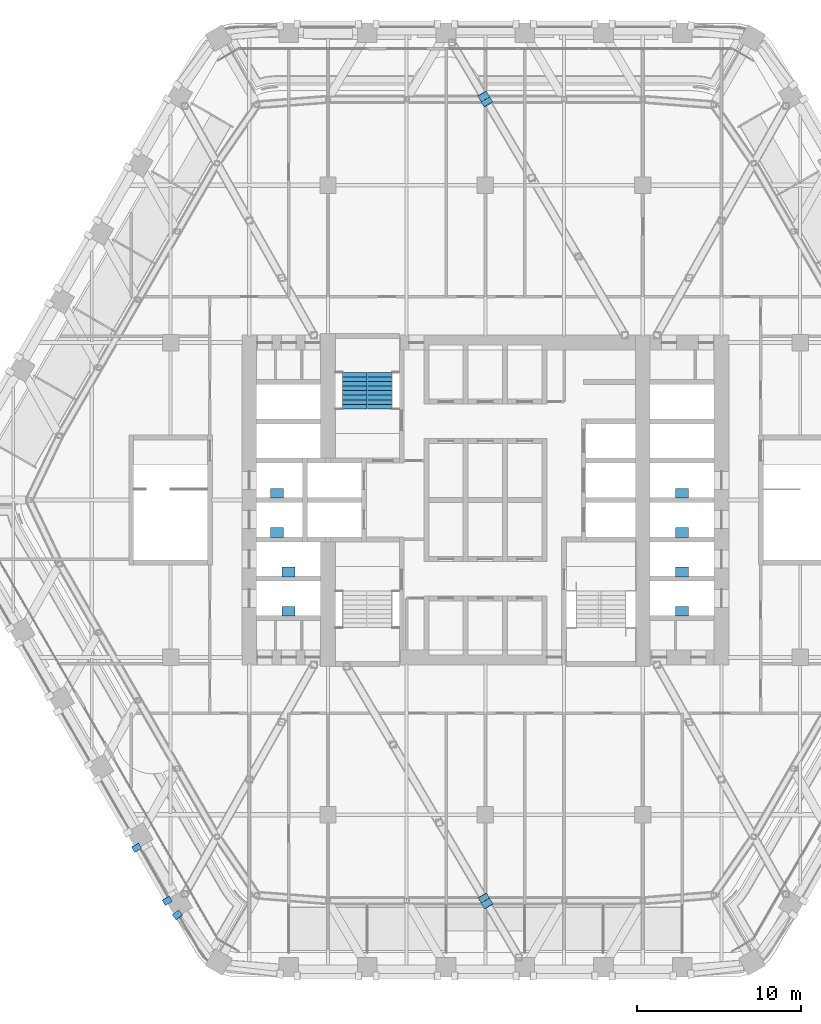
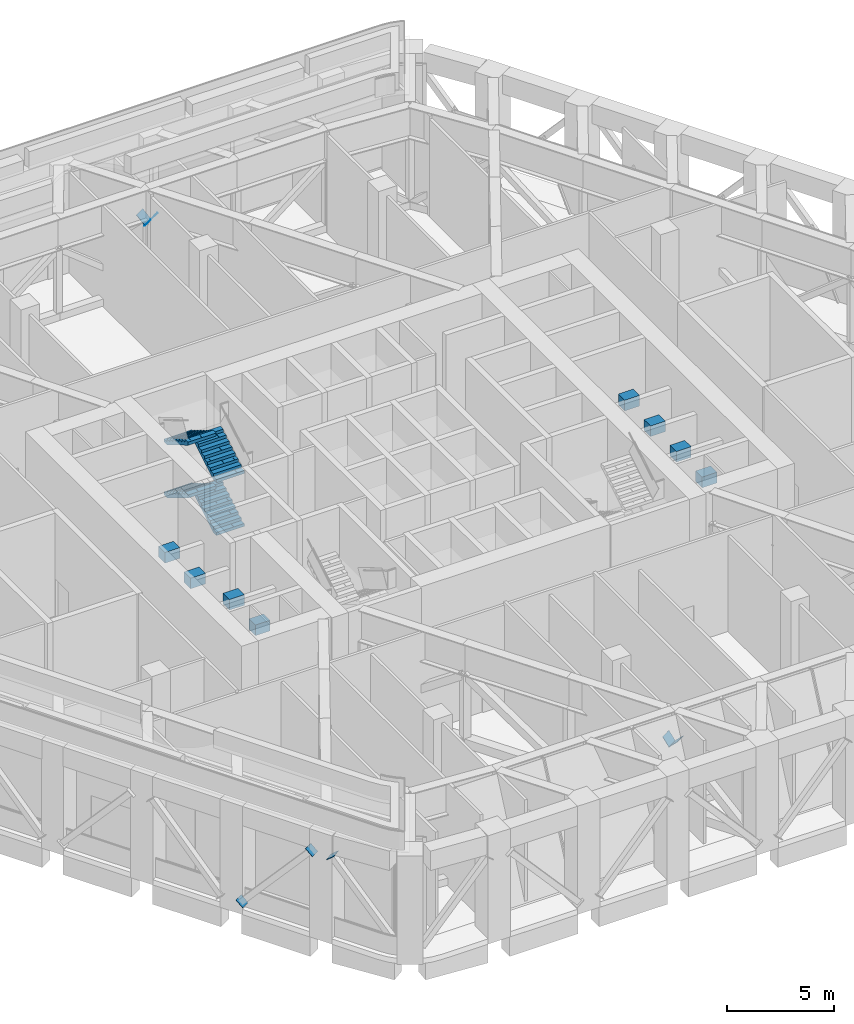
# One storey, part 22 of 27: 15 discrete accessories, 4 stair flights, 1 element without a shape of its own.
"""IFC4 building model written with IfcOpenShell, lengths in metres."""

from ifc_helpers import new_model, si_unit, direction, frame, origin, origin_2d, place, context, subcontext, project, spatial, polyline, rectangle, outline, extrude, material, type_object, element, aggregate, save


model = new_model("IFC4")

# Units and contexts
model_context = context("Model", 3, precision=1e-05, world=origin(), true_north=direction((0.0, 1.0)))
body_context = subcontext(model_context, "Body", "Model", "MODEL_VIEW")
ifc_project = project(units=[si_unit("LENGTHUNIT", "METRE"), si_unit("AREAUNIT", "SQUARE_METRE"), si_unit("VOLUMEUNIT", "CUBIC_METRE"), si_unit("PLANEANGLEUNIT", "RADIAN"), si_unit("MASSUNIT", "GRAM", prefix="KILO")], contexts=[model_context])

# Site, building, storey
site_placement = place(None, origin())
site = spatial("IfcSite", under=ifc_project, at=site_placement, CompositionType="ELEMENT")
building_placement = place(site_placement, origin())
building = spatial("IfcBuilding", under=site, at=building_placement, Name="Kolab Exchange Tower", CompositionType="ELEMENT")
storey_placement = place(building_placement, frame((0.0, 0.0, 127.39990234375)))
storey = spatial("IfcBuildingStorey", under=building, at=storey_placement, Name="L25", CompositionType="ELEMENT", Elevation=127.39990234375)

# Stair, stair flights
ifc_material = material(Name="Concrete C50/60", Category="concrete")
stair_type = type_object("IfcStairType", Name="STAIR ST1 RISER 166.7", PredefinedType="DOUBLE_RETURN_STAIR", material=ifc_material)
stair_placement = place(storey_placement, origin())
stair = element("IfcStair", 1, at=stair_placement, inside=storey, type_object=stair_type, Name="Stair 1", PredefinedType="DOUBLE_RETURN_STAIR")
stair_flight_type = type_object("IfcStairFlightType", Name="STAIR FLIGHT 1500 RISER 166.7", PredefinedType="STRAIGHT", material=ifc_material)
stair_flight_1_placement = place(storey_placement, frame((-6.43994140625, 5.550048828125, 0.0), z_axis=(0.0, 0.0, 1.0), x_axis=(0.0, 1.0, 0.0)))
stair_flight_1 = element("IfcStairFlight", 2, at=stair_flight_1_placement, type_object=stair_flight_type, Name="ST1 flight 1", NumberOfRisers=9, NumberOfTreads=8, PredefinedType="STRAIGHT", RiserHeight=0.166666667, TreadLength=0.28, context=body_context, shape_type="SweptSolid", body=[
    extrude(outline(polyline([(0.0, 0.0), (0.0, 0.166748046875), (0.280029296875, 0.166748046875), (0.280029296875, 0.333251953125), (0.56005859375, 0.333251953125), (0.56005859375, 0.5), (0.840087890625, 0.5), (0.840087890625, 0.666748046875), (1.1201171875, 0.666748046875), (1.1201171875, 0.833251953125), (1.39990234375, 0.833251953125), (1.39990234375, 1.0), (1.679931640625, 1.0), (1.679931640625, 1.166748046875), (1.9599609375, 1.166748046875), (1.9599609375, 1.333251953125), (2.239990234375, 1.333251953125), (2.239990234375, 1.5), (2.239990234375, 1.158935546875), (0.29296875, 0.0), (0.0, 0.0)])), frame((0.0, 0.75, 0.0), z_axis=(0.0, -1.0, 0.0), x_axis=(1.0, 0.0, 0.0)), (0.0, 0.0, 1.0), 0.185791015625),
    extrude(outline(polyline([(0.0, 0.0), (0.0, 0.166748046875), (0.280029296875, 0.166748046875), (0.280029296875, 0.333251953125), (0.56005859375, 0.333251953125), (0.56005859375, 0.5), (0.840087890625, 0.5), (0.840087890625, 0.666748046875), (1.1201171875, 0.666748046875), (1.1201171875, 0.833251953125), (1.39990234375, 0.833251953125), (1.39990234375, 1.0), (1.679931640625, 1.0), (1.679931640625, 1.166748046875), (1.9599609375, 1.166748046875), (1.9599609375, 1.333251953125), (2.239990234375, 1.333251953125), (2.239990234375, 1.5), (2.239990234375, 1.158935546875), (0.29296875, 0.0), (0.0, 0.0)])), frame((0.0, 0.562255859375, 0.0), z_axis=(0.0, -1.0, 0.0), x_axis=(1.0, 0.0, 0.0)), (0.0, 0.0, 1.0), 0.185791015625),
    extrude(outline(polyline([(0.0, 0.0), (0.0, 0.166748046875), (0.280029296875, 0.166748046875), (0.280029296875, 0.333251953125), (0.56005859375, 0.333251953125), (0.56005859375, 0.5), (0.840087890625, 0.5), (0.840087890625, 0.666748046875), (1.1201171875, 0.666748046875), (1.1201171875, 0.833251953125), (1.39990234375, 0.833251953125), (1.39990234375, 1.0), (1.679931640625, 1.0), (1.679931640625, 1.166748046875), (1.9599609375, 1.166748046875), (1.9599609375, 1.333251953125), (2.239990234375, 1.333251953125), (2.239990234375, 1.5), (2.239990234375, 1.158935546875), (0.29296875, 0.0), (0.0, 0.0)])), frame((0.0, 0.37451171875, 0.0), z_axis=(0.0, -1.0, 0.0), x_axis=(1.0, 0.0, 0.0)), (0.0, 0.0, 1.0), 0.185791015625),
    extrude(outline(polyline([(0.0, 0.0), (0.0, 0.166748046875), (0.280029296875, 0.166748046875), (0.280029296875, 0.333251953125), (0.56005859375, 0.333251953125), (0.56005859375, 0.5), (0.840087890625, 0.5), (0.840087890625, 0.666748046875), (1.1201171875, 0.666748046875), (1.1201171875, 0.833251953125), (1.39990234375, 0.833251953125), (1.39990234375, 1.0), (1.679931640625, 1.0), (1.679931640625, 1.166748046875), (1.9599609375, 1.166748046875), (1.9599609375, 1.333251953125), (2.239990234375, 1.333251953125), (2.239990234375, 1.5), (2.239990234375, 1.158935546875), (0.29296875, 0.0), (0.0, 0.0)])), frame((0.0, 0.186767578125, 0.0), z_axis=(0.0, -1.0, 0.0), x_axis=(1.0, 0.0, 0.0)), (0.0, 0.0, 1.0), 0.185791015625),
    extrude(outline(polyline([(0.0, 0.0), (0.0, 0.166748046875), (0.280029296875, 0.166748046875), (0.280029296875, 0.333251953125), (0.56005859375, 0.333251953125), (0.56005859375, 0.5), (0.840087890625, 0.5), (0.840087890625, 0.666748046875), (1.1201171875, 0.666748046875), (1.1201171875, 0.833251953125), (1.39990234375, 0.833251953125), (1.39990234375, 1.0), (1.679931640625, 1.0), (1.679931640625, 1.166748046875), (1.9599609375, 1.166748046875), (1.9599609375, 1.333251953125), (2.239990234375, 1.333251953125), (2.239990234375, 1.5), (2.239990234375, 1.158935546875), (0.29296875, 0.0), (0.0, 0.0)])), frame((0.0, -0.0009765625, 0.0), z_axis=(0.0, -1.0, 0.0), x_axis=(1.0, 0.0, 0.0)), (0.0, 0.0, 1.0), 0.185791015625),
    extrude(outline(polyline([(0.0, 0.0), (0.0, 0.166748046875), (0.280029296875, 0.166748046875), (0.280029296875, 0.333251953125), (0.56005859375, 0.333251953125), (0.56005859375, 0.5), (0.840087890625, 0.5), (0.840087890625, 0.666748046875), (1.1201171875, 0.666748046875), (1.1201171875, 0.833251953125), (1.39990234375, 0.833251953125), (1.39990234375, 1.0), (1.679931640625, 1.0), (1.679931640625, 1.166748046875), (1.9599609375, 1.166748046875), (1.9599609375, 1.333251953125), (2.239990234375, 1.333251953125), (2.239990234375, 1.5), (2.239990234375, 1.158935546875), (0.29296875, 0.0), (0.0, 0.0)])), frame((0.0, -0.188720703125, 0.0), z_axis=(0.0, -1.0, 0.0), x_axis=(1.0, 0.0, 0.0)), (0.0, 0.0, 1.0), 0.185791015625),
    extrude(outline(polyline([(0.0, 0.0), (0.0, 0.166748046875), (0.280029296875, 0.166748046875), (0.280029296875, 0.333251953125), (0.56005859375, 0.333251953125), (0.56005859375, 0.5), (0.840087890625, 0.5), (0.840087890625, 0.666748046875), (1.1201171875, 0.666748046875), (1.1201171875, 0.833251953125), (1.39990234375, 0.833251953125), (1.39990234375, 1.0), (1.679931640625, 1.0), (1.679931640625, 1.166748046875), (1.9599609375, 1.166748046875), (1.9599609375, 1.333251953125), (2.239990234375, 1.333251953125), (2.239990234375, 1.5), (2.239990234375, 1.158935546875), (0.29296875, 0.0), (0.0, 0.0)])), frame((0.0, -0.37646484375, 0.0), z_axis=(0.0, -1.0, 0.0), x_axis=(1.0, 0.0, 0.0)), (0.0, 0.0, 1.0), 0.185791015625),
    extrude(outline(polyline([(0.0, 0.0), (0.0, 0.166748046875), (0.280029296875, 0.166748046875), (0.280029296875, 0.333251953125), (0.56005859375, 0.333251953125), (0.56005859375, 0.5), (0.840087890625, 0.5), (0.840087890625, 0.666748046875), (1.1201171875, 0.666748046875), (1.1201171875, 0.833251953125), (1.39990234375, 0.833251953125), (1.39990234375, 1.0), (1.679931640625, 1.0), (1.679931640625, 1.166748046875), (1.9599609375, 1.166748046875), (1.9599609375, 1.333251953125), (2.239990234375, 1.333251953125), (2.239990234375, 1.5), (2.239990234375, 1.158935546875), (0.29296875, 0.0), (0.0, 0.0)])), frame((0.0, -0.564208984375, 0.0), z_axis=(0.0, -1.0, 0.0), x_axis=(1.0, 0.0, 0.0)), (0.0, 0.0, 1.0), 0.185791015625),
])
stair_flight_2_placement = place(storey_placement, frame((-7.9599609375, 7.7900390625, 1.5), z_axis=(0.0, 0.0, 1.0), x_axis=(0.0, -1.0, 0.0)))
stair_flight_2 = element("IfcStairFlight", 3, at=stair_flight_2_placement, type_object=stair_flight_type, Name="ST1 flight 2", NumberOfRisers=9, NumberOfTreads=8, PredefinedType="STRAIGHT", RiserHeight=0.166666667, TreadLength=0.28, context=body_context, shape_type="SweptSolid", body=[
    extrude(outline(polyline([(0.0, 0.0), (0.0, 0.166748046875), (0.280029296875, 0.166748046875), (0.280029296875, 0.333251953125), (0.56005859375, 0.333251953125), (0.56005859375, 0.5), (0.840087890625, 0.5), (0.840087890625, 0.666748046875), (1.1201171875, 0.666748046875), (1.1201171875, 0.833251953125), (1.39990234375, 0.833251953125), (1.39990234375, 1.0), (1.679931640625, 1.0), (1.679931640625, 1.166748046875), (1.9599609375, 1.166748046875), (1.9599609375, 1.333251953125), (2.239990234375, 1.333251953125), (2.239990234375, 1.5), (2.239990234375, 1.158935546875), (0.29296875, 0.0), (0.0, 0.0)])), frame((0.0, 0.75, 0.0), z_axis=(0.0, -1.0, 0.0), x_axis=(1.0, 0.0, 0.0)), (0.0, 0.0, 1.0), 0.185791015625),
    extrude(outline(polyline([(0.0, 0.0), (0.0, 0.166748046875), (0.280029296875, 0.166748046875), (0.280029296875, 0.333251953125), (0.56005859375, 0.333251953125), (0.56005859375, 0.5), (0.840087890625, 0.5), (0.840087890625, 0.666748046875), (1.1201171875, 0.666748046875), (1.1201171875, 0.833251953125), (1.39990234375, 0.833251953125), (1.39990234375, 1.0), (1.679931640625, 1.0), (1.679931640625, 1.166748046875), (1.9599609375, 1.166748046875), (1.9599609375, 1.333251953125), (2.239990234375, 1.333251953125), (2.239990234375, 1.5), (2.239990234375, 1.158935546875), (0.29296875, 0.0), (0.0, 0.0)])), frame((0.0, 0.562255859375, 0.0), z_axis=(0.0, -1.0, 0.0), x_axis=(1.0, 0.0, 0.0)), (0.0, 0.0, 1.0), 0.185791015625),
    extrude(outline(polyline([(0.0, 0.0), (0.0, 0.166748046875), (0.280029296875, 0.166748046875), (0.280029296875, 0.333251953125), (0.56005859375, 0.333251953125), (0.56005859375, 0.5), (0.840087890625, 0.5), (0.840087890625, 0.666748046875), (1.1201171875, 0.666748046875), (1.1201171875, 0.833251953125), (1.39990234375, 0.833251953125), (1.39990234375, 1.0), (1.679931640625, 1.0), (1.679931640625, 1.166748046875), (1.9599609375, 1.166748046875), (1.9599609375, 1.333251953125), (2.239990234375, 1.333251953125), (2.239990234375, 1.5), (2.239990234375, 1.158935546875), (0.29296875, 0.0), (0.0, 0.0)])), frame((0.0, 0.37451171875, 0.0), z_axis=(0.0, -1.0, 0.0), x_axis=(1.0, 0.0, 0.0)), (0.0, 0.0, 1.0), 0.185791015625),
    extrude(outline(polyline([(0.0, 0.0), (0.0, 0.166748046875), (0.280029296875, 0.166748046875), (0.280029296875, 0.333251953125), (0.56005859375, 0.333251953125), (0.56005859375, 0.5), (0.840087890625, 0.5), (0.840087890625, 0.666748046875), (1.1201171875, 0.666748046875), (1.1201171875, 0.833251953125), (1.39990234375, 0.833251953125), (1.39990234375, 1.0), (1.679931640625, 1.0), (1.679931640625, 1.166748046875), (1.9599609375, 1.166748046875), (1.9599609375, 1.333251953125), (2.239990234375, 1.333251953125), (2.239990234375, 1.5), (2.239990234375, 1.158935546875), (0.29296875, 0.0), (0.0, 0.0)])), frame((0.0, 0.186767578125, 0.0), z_axis=(0.0, -1.0, 0.0), x_axis=(1.0, 0.0, 0.0)), (0.0, 0.0, 1.0), 0.185791015625),
    extrude(outline(polyline([(0.0, 0.0), (0.0, 0.166748046875), (0.280029296875, 0.166748046875), (0.280029296875, 0.333251953125), (0.56005859375, 0.333251953125), (0.56005859375, 0.5), (0.840087890625, 0.5), (0.840087890625, 0.666748046875), (1.1201171875, 0.666748046875), (1.1201171875, 0.833251953125), (1.39990234375, 0.833251953125), (1.39990234375, 1.0), (1.679931640625, 1.0), (1.679931640625, 1.166748046875), (1.9599609375, 1.166748046875), (1.9599609375, 1.333251953125), (2.239990234375, 1.333251953125), (2.239990234375, 1.5), (2.239990234375, 1.158935546875), (0.29296875, 0.0), (0.0, 0.0)])), frame((0.0, -0.0009765625, 0.0), z_axis=(0.0, -1.0, 0.0), x_axis=(1.0, 0.0, 0.0)), (0.0, 0.0, 1.0), 0.185791015625),
    extrude(outline(polyline([(0.0, 0.0), (0.0, 0.166748046875), (0.280029296875, 0.166748046875), (0.280029296875, 0.333251953125), (0.56005859375, 0.333251953125), (0.56005859375, 0.5), (0.840087890625, 0.5), (0.840087890625, 0.666748046875), (1.1201171875, 0.666748046875), (1.1201171875, 0.833251953125), (1.39990234375, 0.833251953125), (1.39990234375, 1.0), (1.679931640625, 1.0), (1.679931640625, 1.166748046875), (1.9599609375, 1.166748046875), (1.9599609375, 1.333251953125), (2.239990234375, 1.333251953125), (2.239990234375, 1.5), (2.239990234375, 1.158935546875), (0.29296875, 0.0), (0.0, 0.0)])), frame((0.0, -0.188720703125, 0.0), z_axis=(0.0, -1.0, 0.0), x_axis=(1.0, 0.0, 0.0)), (0.0, 0.0, 1.0), 0.185791015625),
    extrude(outline(polyline([(0.0, 0.0), (0.0, 0.166748046875), (0.280029296875, 0.166748046875), (0.280029296875, 0.333251953125), (0.56005859375, 0.333251953125), (0.56005859375, 0.5), (0.840087890625, 0.5), (0.840087890625, 0.666748046875), (1.1201171875, 0.666748046875), (1.1201171875, 0.833251953125), (1.39990234375, 0.833251953125), (1.39990234375, 1.0), (1.679931640625, 1.0), (1.679931640625, 1.166748046875), (1.9599609375, 1.166748046875), (1.9599609375, 1.333251953125), (2.239990234375, 1.333251953125), (2.239990234375, 1.5), (2.239990234375, 1.158935546875), (0.29296875, 0.0), (0.0, 0.0)])), frame((0.0, -0.37646484375, 0.0), z_axis=(0.0, -1.0, 0.0), x_axis=(1.0, 0.0, 0.0)), (0.0, 0.0, 1.0), 0.185791015625),
    extrude(outline(polyline([(0.0, 0.0), (0.0, 0.166748046875), (0.280029296875, 0.166748046875), (0.280029296875, 0.333251953125), (0.56005859375, 0.333251953125), (0.56005859375, 0.5), (0.840087890625, 0.5), (0.840087890625, 0.666748046875), (1.1201171875, 0.666748046875), (1.1201171875, 0.833251953125), (1.39990234375, 0.833251953125), (1.39990234375, 1.0), (1.679931640625, 1.0), (1.679931640625, 1.166748046875), (1.9599609375, 1.166748046875), (1.9599609375, 1.333251953125), (2.239990234375, 1.333251953125), (2.239990234375, 1.5), (2.239990234375, 1.158935546875), (0.29296875, 0.0), (0.0, 0.0)])), frame((0.0, -0.564208984375, 0.0), z_axis=(0.0, -1.0, 0.0), x_axis=(1.0, 0.0, 0.0)), (0.0, 0.0, 1.0), 0.185791015625),
])
stair_flight_3_placement = place(storey_placement, frame((-6.43994140625, 5.550048828125, 3.0), z_axis=(0.0, 0.0, 1.0), x_axis=(0.0, 1.0, 0.0)))
stair_flight_3 = element("IfcStairFlight", 4, at=stair_flight_3_placement, type_object=stair_flight_type, Name="ST1 flight 3", NumberOfRisers=9, NumberOfTreads=8, PredefinedType="STRAIGHT", RiserHeight=0.166666667, TreadLength=0.28, context=body_context, shape_type="SweptSolid", body=[
    extrude(outline(polyline([(0.0, 0.0), (0.0, 0.166748046875), (0.280029296875, 0.166748046875), (0.280029296875, 0.333251953125), (0.56005859375, 0.333251953125), (0.56005859375, 0.5), (0.840087890625, 0.5), (0.840087890625, 0.666748046875), (1.1201171875, 0.666748046875), (1.1201171875, 0.833251953125), (1.39990234375, 0.833251953125), (1.39990234375, 1.0), (1.679931640625, 1.0), (1.679931640625, 1.166748046875), (1.9599609375, 1.166748046875), (1.9599609375, 1.333251953125), (2.239990234375, 1.333251953125), (2.239990234375, 1.5), (2.239990234375, 1.158935546875), (0.29296875, 0.0), (0.0, 0.0)])), frame((0.0, 0.75, 0.0), z_axis=(0.0, -1.0, 0.0), x_axis=(1.0, 0.0, 0.0)), (0.0, 0.0, 1.0), 0.185791015625),
    extrude(outline(polyline([(0.0, 0.0), (0.0, 0.166748046875), (0.280029296875, 0.166748046875), (0.280029296875, 0.333251953125), (0.56005859375, 0.333251953125), (0.56005859375, 0.5), (0.840087890625, 0.5), (0.840087890625, 0.666748046875), (1.1201171875, 0.666748046875), (1.1201171875, 0.833251953125), (1.39990234375, 0.833251953125), (1.39990234375, 1.0), (1.679931640625, 1.0), (1.679931640625, 1.166748046875), (1.9599609375, 1.166748046875), (1.9599609375, 1.333251953125), (2.239990234375, 1.333251953125), (2.239990234375, 1.5), (2.239990234375, 1.158935546875), (0.29296875, 0.0), (0.0, 0.0)])), frame((0.0, 0.562255859375, 0.0), z_axis=(0.0, -1.0, 0.0), x_axis=(1.0, 0.0, 0.0)), (0.0, 0.0, 1.0), 0.185791015625),
    extrude(outline(polyline([(0.0, 0.0), (0.0, 0.166748046875), (0.280029296875, 0.166748046875), (0.280029296875, 0.333251953125), (0.56005859375, 0.333251953125), (0.56005859375, 0.5), (0.840087890625, 0.5), (0.840087890625, 0.666748046875), (1.1201171875, 0.666748046875), (1.1201171875, 0.833251953125), (1.39990234375, 0.833251953125), (1.39990234375, 1.0), (1.679931640625, 1.0), (1.679931640625, 1.166748046875), (1.9599609375, 1.166748046875), (1.9599609375, 1.333251953125), (2.239990234375, 1.333251953125), (2.239990234375, 1.5), (2.239990234375, 1.158935546875), (0.29296875, 0.0), (0.0, 0.0)])), frame((0.0, 0.37451171875, 0.0), z_axis=(0.0, -1.0, 0.0), x_axis=(1.0, 0.0, 0.0)), (0.0, 0.0, 1.0), 0.185791015625),
    extrude(outline(polyline([(0.0, 0.0), (0.0, 0.166748046875), (0.280029296875, 0.166748046875), (0.280029296875, 0.333251953125), (0.56005859375, 0.333251953125), (0.56005859375, 0.5), (0.840087890625, 0.5), (0.840087890625, 0.666748046875), (1.1201171875, 0.666748046875), (1.1201171875, 0.833251953125), (1.39990234375, 0.833251953125), (1.39990234375, 1.0), (1.679931640625, 1.0), (1.679931640625, 1.166748046875), (1.9599609375, 1.166748046875), (1.9599609375, 1.333251953125), (2.239990234375, 1.333251953125), (2.239990234375, 1.5), (2.239990234375, 1.158935546875), (0.29296875, 0.0), (0.0, 0.0)])), frame((0.0, 0.186767578125, 0.0), z_axis=(0.0, -1.0, 0.0), x_axis=(1.0, 0.0, 0.0)), (0.0, 0.0, 1.0), 0.185791015625),
    extrude(outline(polyline([(0.0, 0.0), (0.0, 0.166748046875), (0.280029296875, 0.166748046875), (0.280029296875, 0.333251953125), (0.56005859375, 0.333251953125), (0.56005859375, 0.5), (0.840087890625, 0.5), (0.840087890625, 0.666748046875), (1.1201171875, 0.666748046875), (1.1201171875, 0.833251953125), (1.39990234375, 0.833251953125), (1.39990234375, 1.0), (1.679931640625, 1.0), (1.679931640625, 1.166748046875), (1.9599609375, 1.166748046875), (1.9599609375, 1.333251953125), (2.239990234375, 1.333251953125), (2.239990234375, 1.5), (2.239990234375, 1.158935546875), (0.29296875, 0.0), (0.0, 0.0)])), frame((0.0, -0.0009765625, 0.0), z_axis=(0.0, -1.0, 0.0), x_axis=(1.0, 0.0, 0.0)), (0.0, 0.0, 1.0), 0.185791015625),
    extrude(outline(polyline([(0.0, 0.0), (0.0, 0.166748046875), (0.280029296875, 0.166748046875), (0.280029296875, 0.333251953125), (0.56005859375, 0.333251953125), (0.56005859375, 0.5), (0.840087890625, 0.5), (0.840087890625, 0.666748046875), (1.1201171875, 0.666748046875), (1.1201171875, 0.833251953125), (1.39990234375, 0.833251953125), (1.39990234375, 1.0), (1.679931640625, 1.0), (1.679931640625, 1.166748046875), (1.9599609375, 1.166748046875), (1.9599609375, 1.333251953125), (2.239990234375, 1.333251953125), (2.239990234375, 1.5), (2.239990234375, 1.158935546875), (0.29296875, 0.0), (0.0, 0.0)])), frame((0.0, -0.188720703125, 0.0), z_axis=(0.0, -1.0, 0.0), x_axis=(1.0, 0.0, 0.0)), (0.0, 0.0, 1.0), 0.185791015625),
    extrude(outline(polyline([(0.0, 0.0), (0.0, 0.166748046875), (0.280029296875, 0.166748046875), (0.280029296875, 0.333251953125), (0.56005859375, 0.333251953125), (0.56005859375, 0.5), (0.840087890625, 0.5), (0.840087890625, 0.666748046875), (1.1201171875, 0.666748046875), (1.1201171875, 0.833251953125), (1.39990234375, 0.833251953125), (1.39990234375, 1.0), (1.679931640625, 1.0), (1.679931640625, 1.166748046875), (1.9599609375, 1.166748046875), (1.9599609375, 1.333251953125), (2.239990234375, 1.333251953125), (2.239990234375, 1.5), (2.239990234375, 1.158935546875), (0.29296875, 0.0), (0.0, 0.0)])), frame((0.0, -0.37646484375, 0.0), z_axis=(0.0, -1.0, 0.0), x_axis=(1.0, 0.0, 0.0)), (0.0, 0.0, 1.0), 0.185791015625),
    extrude(outline(polyline([(0.0, 0.0), (0.0, 0.166748046875), (0.280029296875, 0.166748046875), (0.280029296875, 0.333251953125), (0.56005859375, 0.333251953125), (0.56005859375, 0.5), (0.840087890625, 0.5), (0.840087890625, 0.666748046875), (1.1201171875, 0.666748046875), (1.1201171875, 0.833251953125), (1.39990234375, 0.833251953125), (1.39990234375, 1.0), (1.679931640625, 1.0), (1.679931640625, 1.166748046875), (1.9599609375, 1.166748046875), (1.9599609375, 1.333251953125), (2.239990234375, 1.333251953125), (2.239990234375, 1.5), (2.239990234375, 1.158935546875), (0.29296875, 0.0), (0.0, 0.0)])), frame((0.0, -0.564208984375, 0.0), z_axis=(0.0, -1.0, 0.0), x_axis=(1.0, 0.0, 0.0)), (0.0, 0.0, 1.0), 0.185791015625),
])
stair_flight_4_placement = place(storey_placement, frame((-7.9599609375, 7.7900390625, 4.5), z_axis=(0.0, 0.0, 1.0), x_axis=(0.0, -1.0, 0.0)))
stair_flight_4 = element("IfcStairFlight", 5, at=stair_flight_4_placement, type_object=stair_flight_type, Name="ST1 flight 4", NumberOfRisers=9, NumberOfTreads=8, PredefinedType="STRAIGHT", RiserHeight=0.166666667, TreadLength=0.28, context=body_context, shape_type="SweptSolid", body=[
    extrude(outline(polyline([(0.0, 0.0), (0.0, 0.166748046875), (0.280029296875, 0.166748046875), (0.280029296875, 0.333251953125), (0.56005859375, 0.333251953125), (0.56005859375, 0.5), (0.840087890625, 0.5), (0.840087890625, 0.666748046875), (1.1201171875, 0.666748046875), (1.1201171875, 0.833251953125), (1.39990234375, 0.833251953125), (1.39990234375, 1.0), (1.679931640625, 1.0), (1.679931640625, 1.166748046875), (1.9599609375, 1.166748046875), (1.9599609375, 1.333251953125), (2.239990234375, 1.333251953125), (2.239990234375, 1.5), (2.239990234375, 1.158935546875), (0.29296875, 0.0), (0.0, 0.0)])), frame((0.0, 0.75, 0.0), z_axis=(0.0, -1.0, 0.0), x_axis=(1.0, 0.0, 0.0)), (0.0, 0.0, 1.0), 0.185791015625),
    extrude(outline(polyline([(0.0, 0.0), (0.0, 0.166748046875), (0.280029296875, 0.166748046875), (0.280029296875, 0.333251953125), (0.56005859375, 0.333251953125), (0.56005859375, 0.5), (0.840087890625, 0.5), (0.840087890625, 0.666748046875), (1.1201171875, 0.666748046875), (1.1201171875, 0.833251953125), (1.39990234375, 0.833251953125), (1.39990234375, 1.0), (1.679931640625, 1.0), (1.679931640625, 1.166748046875), (1.9599609375, 1.166748046875), (1.9599609375, 1.333251953125), (2.239990234375, 1.333251953125), (2.239990234375, 1.5), (2.239990234375, 1.158935546875), (0.29296875, 0.0), (0.0, 0.0)])), frame((0.0, 0.562255859375, 0.0), z_axis=(0.0, -1.0, 0.0), x_axis=(1.0, 0.0, 0.0)), (0.0, 0.0, 1.0), 0.185791015625),
    extrude(outline(polyline([(0.0, 0.0), (0.0, 0.166748046875), (0.280029296875, 0.166748046875), (0.280029296875, 0.333251953125), (0.56005859375, 0.333251953125), (0.56005859375, 0.5), (0.840087890625, 0.5), (0.840087890625, 0.666748046875), (1.1201171875, 0.666748046875), (1.1201171875, 0.833251953125), (1.39990234375, 0.833251953125), (1.39990234375, 1.0), (1.679931640625, 1.0), (1.679931640625, 1.166748046875), (1.9599609375, 1.166748046875), (1.9599609375, 1.333251953125), (2.239990234375, 1.333251953125), (2.239990234375, 1.5), (2.239990234375, 1.158935546875), (0.29296875, 0.0), (0.0, 0.0)])), frame((0.0, 0.37451171875, 0.0), z_axis=(0.0, -1.0, 0.0), x_axis=(1.0, 0.0, 0.0)), (0.0, 0.0, 1.0), 0.185791015625),
    extrude(outline(polyline([(0.0, 0.0), (0.0, 0.166748046875), (0.280029296875, 0.166748046875), (0.280029296875, 0.333251953125), (0.56005859375, 0.333251953125), (0.56005859375, 0.5), (0.840087890625, 0.5), (0.840087890625, 0.666748046875), (1.1201171875, 0.666748046875), (1.1201171875, 0.833251953125), (1.39990234375, 0.833251953125), (1.39990234375, 1.0), (1.679931640625, 1.0), (1.679931640625, 1.166748046875), (1.9599609375, 1.166748046875), (1.9599609375, 1.333251953125), (2.239990234375, 1.333251953125), (2.239990234375, 1.5), (2.239990234375, 1.158935546875), (0.29296875, 0.0), (0.0, 0.0)])), frame((0.0, 0.186767578125, 0.0), z_axis=(0.0, -1.0, 0.0), x_axis=(1.0, 0.0, 0.0)), (0.0, 0.0, 1.0), 0.185791015625),
    extrude(outline(polyline([(0.0, 0.0), (0.0, 0.166748046875), (0.280029296875, 0.166748046875), (0.280029296875, 0.333251953125), (0.56005859375, 0.333251953125), (0.56005859375, 0.5), (0.840087890625, 0.5), (0.840087890625, 0.666748046875), (1.1201171875, 0.666748046875), (1.1201171875, 0.833251953125), (1.39990234375, 0.833251953125), (1.39990234375, 1.0), (1.679931640625, 1.0), (1.679931640625, 1.166748046875), (1.9599609375, 1.166748046875), (1.9599609375, 1.333251953125), (2.239990234375, 1.333251953125), (2.239990234375, 1.5), (2.239990234375, 1.158935546875), (0.29296875, 0.0), (0.0, 0.0)])), frame((0.0, -0.0009765625, 0.0), z_axis=(0.0, -1.0, 0.0), x_axis=(1.0, 0.0, 0.0)), (0.0, 0.0, 1.0), 0.185791015625),
    extrude(outline(polyline([(0.0, 0.0), (0.0, 0.166748046875), (0.280029296875, 0.166748046875), (0.280029296875, 0.333251953125), (0.56005859375, 0.333251953125), (0.56005859375, 0.5), (0.840087890625, 0.5), (0.840087890625, 0.666748046875), (1.1201171875, 0.666748046875), (1.1201171875, 0.833251953125), (1.39990234375, 0.833251953125), (1.39990234375, 1.0), (1.679931640625, 1.0), (1.679931640625, 1.166748046875), (1.9599609375, 1.166748046875), (1.9599609375, 1.333251953125), (2.239990234375, 1.333251953125), (2.239990234375, 1.5), (2.239990234375, 1.158935546875), (0.29296875, 0.0), (0.0, 0.0)])), frame((0.0, -0.188720703125, 0.0), z_axis=(0.0, -1.0, 0.0), x_axis=(1.0, 0.0, 0.0)), (0.0, 0.0, 1.0), 0.185791015625),
    extrude(outline(polyline([(0.0, 0.0), (0.0, 0.166748046875), (0.280029296875, 0.166748046875), (0.280029296875, 0.333251953125), (0.56005859375, 0.333251953125), (0.56005859375, 0.5), (0.840087890625, 0.5), (0.840087890625, 0.666748046875), (1.1201171875, 0.666748046875), (1.1201171875, 0.833251953125), (1.39990234375, 0.833251953125), (1.39990234375, 1.0), (1.679931640625, 1.0), (1.679931640625, 1.166748046875), (1.9599609375, 1.166748046875), (1.9599609375, 1.333251953125), (2.239990234375, 1.333251953125), (2.239990234375, 1.5), (2.239990234375, 1.158935546875), (0.29296875, 0.0), (0.0, 0.0)])), frame((0.0, -0.37646484375, 0.0), z_axis=(0.0, -1.0, 0.0), x_axis=(1.0, 0.0, 0.0)), (0.0, 0.0, 1.0), 0.185791015625),
    extrude(outline(polyline([(0.0, 0.0), (0.0, 0.166748046875), (0.280029296875, 0.166748046875), (0.280029296875, 0.333251953125), (0.56005859375, 0.333251953125), (0.56005859375, 0.5), (0.840087890625, 0.5), (0.840087890625, 0.666748046875), (1.1201171875, 0.666748046875), (1.1201171875, 0.833251953125), (1.39990234375, 0.833251953125), (1.39990234375, 1.0), (1.679931640625, 1.0), (1.679931640625, 1.166748046875), (1.9599609375, 1.166748046875), (1.9599609375, 1.333251953125), (2.239990234375, 1.333251953125), (2.239990234375, 1.5), (2.239990234375, 1.158935546875), (0.29296875, 0.0), (0.0, 0.0)])), frame((0.0, -0.564208984375, 0.0), z_axis=(0.0, -1.0, 0.0), x_axis=(1.0, 0.0, 0.0)), (0.0, 0.0, 1.0), 0.185791015625),
])
aggregate(stair, [stair_flight_1, stair_flight_2, stair_flight_3, stair_flight_4])

# Discrete accessories
for number, where, z_axis, x_axis, name in (
    (6, (12.0, -6.7900390625, 3.800048828125), (0.0, 0.0, 1.0), (1.0, 0.0, 0.0), "Lift machine LR1"),
    (7, (12.0, -4.389892578125, 3.800048828125), (0.0, 0.0, 1.0), (1.0, 0.0, 0.0), "Lift machine LR2"),
    (8, (12.0, -1.989990234375, 3.800048828125), (0.0, 0.0, 1.0), (1.0, 0.0, 0.0), "Lift machine LR3"),
    (9, (12.0, 0.409912109375, 3.800048828125), (0.0, 0.0, 1.0), (1.0, 0.0, 0.0), "Lift machine LR4"),
    (10, (-12.0, -6.7900390625, 3.800048828125), (0.0, 0.0, 1.0), (1.0, 0.0, 0.0), "Lift machine LR5"),
    (11, (-12.0, -4.389892578125, 3.800048828125), (0.0, 0.0, 1.0), (1.0, 0.0, 0.0), "Lift machine LR6"),
    (12, (-12.699951171875, -1.989990234375, 3.800048828125), (0.0, 0.0, 1.0), (1.0, 0.0, 0.0), "Lift machine LR7"),
    (13, (-12.699951171875, 0.409912109375, 3.800048828125), (0.0, 0.0, 1.0), (1.0, 0.0, 0.0), "Lift machine LR8"),
):
    element("IfcDiscreteAccessory", number, at=place(storey_placement, frame(where, z_axis=z_axis, x_axis=x_axis)), inside=storey, Name=name, ObjectType="LIFT MACHINE", PredefinedType="USERDEFINED", context=body_context, shape_type="SweptSolid", body=[
        extrude(rectangle(XDim=0.800048828125, YDim=0.60009765625, at=origin_2d()), origin(), (0.0, 0.0, 1.0), 0.60009765625),
    ])
for number, where, z_axis, x_axis, name in (
    (14, (0.10693359375, 24.2607421875, 4.050048828125), (-0.417004314743, 0.698239782825, 0.581866485688), (-0.858543269067, -0.512741119026, 0.0), "Gusset plate"),
    (15, (-0.10693359375, 24.622314453125, 4.050048828125), (0.360363020239, -0.603851547427, 0.71098649939), (0.858712583452, 0.512457509479, 0.0), "Gusset plate"),
    (16, (-0.10693359375, -24.2607421875, 4.050048828125), (0.417004314743, -0.698239782825, 0.581866485688), (0.858543269067, 0.512741119026, 0.0), "Gusset plate"),
    (17, (0.10693359375, -24.622314453125, 4.050048828125), (-0.360363020239, 0.603851547427, 0.71098649939), (-0.858712583452, -0.512457509479, 0.0), "Gusset plate"),
):
    element("IfcDiscreteAccessory", number, at=place(storey_placement, frame(where, z_axis=z_axis, x_axis=x_axis)), inside=storey, Name=name, ObjectType="GUSSET PLATE", PredefinedType="USERDEFINED", context=body_context, shape_type="SweptSolid", body=[
        extrude(rectangle(XDim=0.60009765625, YDim=0.60009765625, at=origin_2d()), origin(), (0.0, 0.0, 1.0), 0.025146484375),
    ])
discrete_accessory_placement = place(storey_placement, frame((-18.775634765625, -25.3154296875, 4.60009765625), z_axis=(-0.371817113019, 0.499017704315, 0.782772869514), x_axis=(-0.801882827613, -0.597481322535, 0.0)))
element("IfcDiscreteAccessory", 18, at=discrete_accessory_placement, inside=storey, Name="Gusset plate", ObjectType="GUSSET PLATE", PredefinedType="USERDEFINED", context=body_context, shape_type="SweptSolid", body=[
    extrude(rectangle(XDim=0.5, YDim=0.5, at=origin_2d()), origin(), (0.0, 0.0, 1.0), 0.02490234375),
])
for number, where, z_axis, x_axis, name in (
    (19, (-19.40673828125, -24.43994140625, 4.60009765625), (0.330768096403, -0.573979931994, 0.749092453619), (0.866429964967, 0.499298623879, 0.0), "Gusset plate"),
    (20, (-21.268798828125, -21.214599609375, 0.400146484375), (-0.330768096403, 0.573979931994, -0.749092453619), (-0.866429964967, -0.499298623879, 0.0), "Gusset plate"),
):
    element("IfcDiscreteAccessory", number, at=place(storey_placement, frame(where, z_axis=z_axis, x_axis=x_axis)), inside=storey, Name=name, ObjectType="GUSSET PLATE", PredefinedType="USERDEFINED", context=body_context, shape_type="SweptSolid", body=[
        extrude(rectangle(XDim=0.5, YDim=0.5, at=origin_2d()), origin(), (0.0, 0.0, 1.0), 0.025146484375),
    ])

save(model, "model.ifc")
